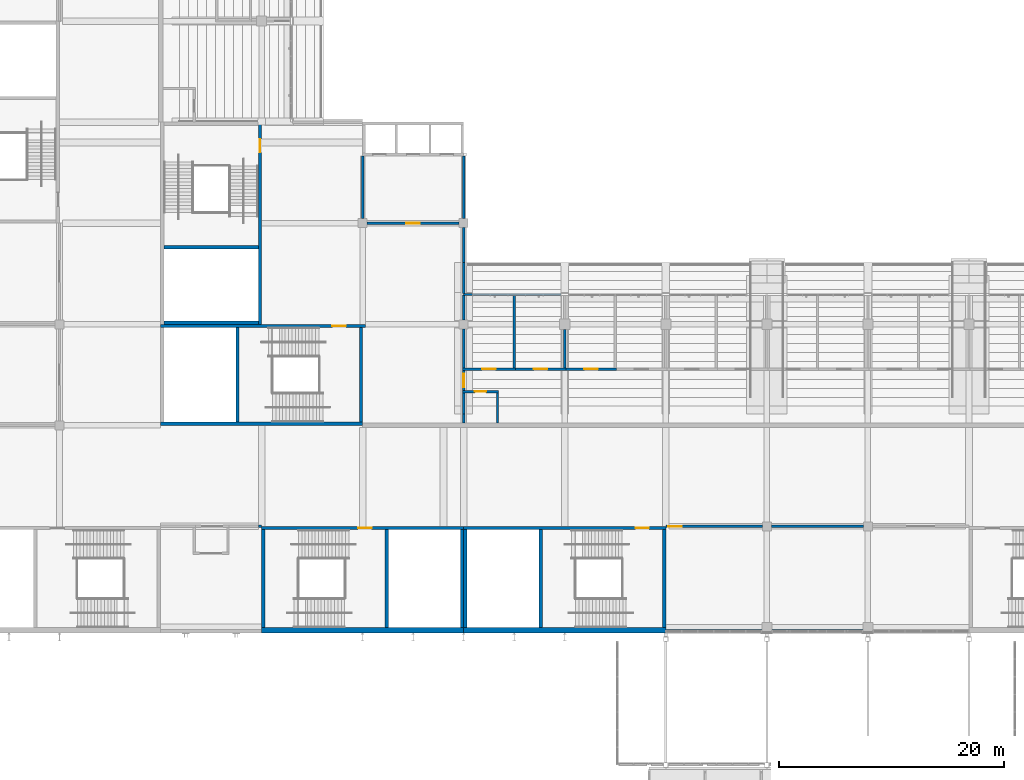
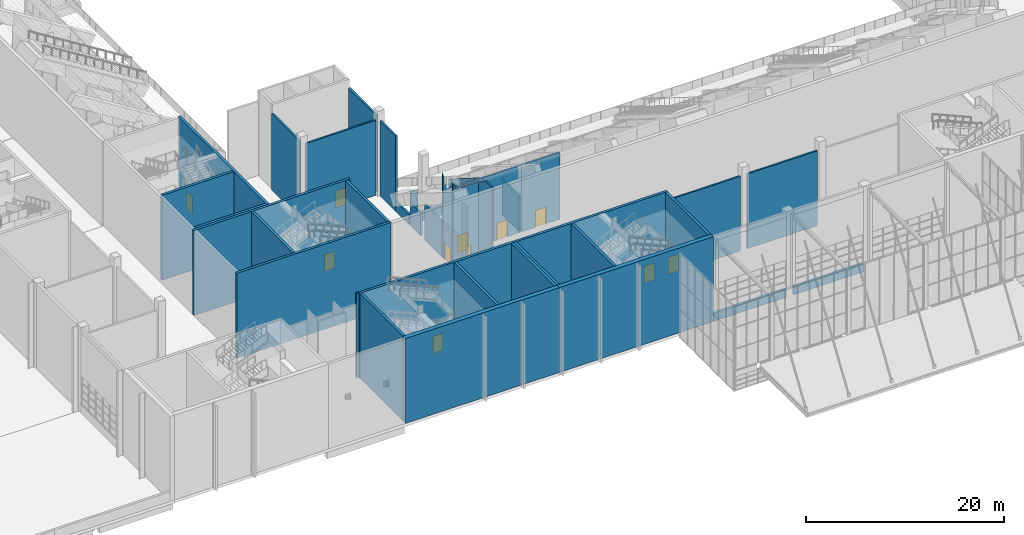
# One storey, part 81 of 182: 41 walls, 11 doors, 11 openings.
"""IFC4 building model written with IfcOpenShell, lengths in metres."""

from ifc_helpers import new_model, si_unit, direction, frame, frame_2d, origin, place, context, subcontext, project, spatial, polyline, rectangle, outline, extrude, material, layer, layer_set, type_object, element, fill, save


model = new_model("IFC4")

# Units and contexts
model_context = context("Model", 3, precision=1e-05, world=origin(), true_north=direction((0.0, 1.0)))
body_context = subcontext(model_context, "Body", "Model", "MODEL_VIEW")
ifc_project = project(units=[si_unit("LENGTHUNIT", "METRE"), si_unit("AREAUNIT", "SQUARE_METRE"), si_unit("VOLUMEUNIT", "CUBIC_METRE"), si_unit("PLANEANGLEUNIT", "RADIAN"), si_unit("MASSUNIT", "GRAM", prefix="KILO")], contexts=[model_context])

# Site, building, storey
site_placement = place(None, origin())
site = spatial("IfcSite", under=ifc_project, at=site_placement, CompositionType="ELEMENT")
building_placement = place(site_placement, origin())
building = spatial("IfcBuilding", under=site, at=building_placement, Name="Silverbay Arena", CompositionType="ELEMENT")
storey_placement = place(building_placement, frame((0.0, 0.0, 11.5)))
storey = spatial("IfcBuildingStorey", under=building, at=storey_placement, Name="L02", CompositionType="ELEMENT", Elevation=11.5)

# Walls
ifc_material_1 = material(Name="Concrete Grade C45", Category="concrete")
ifc_layer_1 = layer(ifc_material_1, 0.25)
ifc_layer_set_1 = layer_set([ifc_layer_1], Name="Concrete Grade C45")
wall_type_1 = type_object("IfcWallType", Name="Bowl enclosure wall RC 250 EI 120", PredefinedType="SOLIDWALL", material=ifc_layer_set_1)
wall_1_placement = place(storey_placement, frame((99.0, 50.5, 0.0), z_axis=(0.0, 0.0, 1.0), x_axis=(0.0, 1.0, 0.0)))
element("IfcWall", 1, at=wall_1_placement, inside=storey, type_object=wall_type_1, Name="Bowl enclosure wall, corner block SW-x", PredefinedType="SOLIDWALL", context=body_context, shape_type="SweptSolid", body=[
    extrude(rectangle(XDim=3.10009765625, YDim=0.25, at=frame_2d((1.550048828125, 0.0))), origin(), (0.0, 0.0, 1.0), 9.25),
])
wall_2_placement = place(storey_placement, frame((99.0, 54.39990234375, 0.0), z_axis=(0.0, 0.0, 1.0), x_axis=(0.0, 1.0, 0.0)))
element("IfcWall", 2, at=wall_2_placement, inside=storey, type_object=wall_type_1, Name="Bowl enclosure wall, corner block SW-x", PredefinedType="SOLIDWALL", context=body_context, shape_type="SweptSolid", body=[
    extrude(rectangle(XDim=5.60009765625, YDim=0.25, at=frame_2d((2.800048828125, 0.0))), origin(), (0.0, 0.0, 1.0), 9.449951171875),
])
wall_3_placement = place(storey_placement, frame((99.0, 47.75, 0.0), z_axis=(0.0, 0.0, 1.0), x_axis=(0.0, 1.0, 0.0)))
element("IfcWall", 3, at=wall_3_placement, inside=storey, type_object=wall_type_1, Name="Bowl enclosure wall, corner block SW-x", PredefinedType="SOLIDWALL", context=body_context, shape_type="SweptSolid", body=[
    extrude(rectangle(XDim=2.75, YDim=0.25, at=frame_2d((1.375, 0.0))), origin(), (0.0, 0.0, 1.0), 1.217041015625),
])
ifc_material_2 = material(Name="Concrete Grade C45 precast, light finish", Category="concrete")
ifc_layer_2 = layer(ifc_material_2, 0.300048828125)
ifc_layer_set_2 = layer_set([ifc_layer_2], Name="Concrete Grade C45 precast, light finish")
wall_type_2 = type_object("IfcWallType", Name="Cladded external wall 300", PredefinedType="SOLIDWALL", material=ifc_layer_set_2)
wall_4_placement = place(storey_placement, frame((117.0, 17.64990234375, 0.0), z_axis=(0.0, 0.0, 1.0), x_axis=(1.0, 0.0, 0.0)))
element("IfcWall", 4, at=wall_4_placement, inside=storey, type_object=wall_type_2, Name="South sill wall L02 bay 8", PredefinedType="SOLIDWALL", context=body_context, shape_type="SweptSolid", body=[
    extrude(rectangle(XDim=8.550048828125, YDim=0.300048828125, at=frame_2d((4.27490234375, 0.0))), origin(), (0.0, 0.0, 1.0), 1.0),
])
wall_5_placement = place(storey_placement, frame((126.449951171875, 17.64990234375, 0.0), z_axis=(0.0, 0.0, 1.0), x_axis=(1.0, 0.0, 0.0)))
element("IfcWall", 5, at=wall_5_placement, inside=storey, type_object=wall_type_2, Name="South sill wall L02 bay 9", PredefinedType="SOLIDWALL", context=body_context, shape_type="SweptSolid", body=[
    extrude(rectangle(XDim=8.10009765625, YDim=0.300048828125, at=frame_2d((4.050048828125, 0.0))), origin(), (0.0, 0.0, 1.0), 1.0),
])

# Wall, opening, door
ifc_material_3 = material(Name="Concrete Grade C45", Category="concrete")
ifc_layer_3 = layer(ifc_material_3, 0.300048828125)
ifc_layer_set_3 = layer_set([ifc_layer_3], Name="Concrete Grade C45")
wall_type_3 = type_object("IfcWallType", Name="Core wall RC 300 EI 120", PredefinedType="SHEAR", material=ifc_layer_set_3)
wall_6_placement = place(storey_placement, frame((81.0, 26.85009765625, 0.0), z_axis=(0.0, 0.0, 1.0), x_axis=(1.0, 0.0, 0.0)))
wall_6 = element("IfcWall", 6, at=wall_6_placement, inside=storey, type_object=wall_type_3, Name="Core wall ST-S1 L02 door side", PredefinedType="SHEAR", context=body_context, shape_type="SweptSolid", body=[
    extrude(rectangle(XDim=18.0, YDim=0.300048828125, at=frame_2d((9.0, 0.0))), origin(), (0.0, 0.0, 1.0), 10.5),
])
opening_1_placement = place(wall_6_placement, frame((8.60009765625, 0.0, 0.0)))
opening_1 = element("IfcOpeningElement", 7, at=opening_1_placement, cuts=wall_6, Name="Opening L02-075", PredefinedType="OPENING", context=body_context, shape_type="SweptSolid", body=[
    extrude(rectangle(XDim=1.199951171875, YDim=2.10009765625, at=frame_2d((0.60009765625, 1.050048828125))), frame((0.0, 0.16015625, 0.0), z_axis=(0.0, -1.0, 0.0), x_axis=(1.0, 0.0, 0.0)), (0.0, 0.0, 1.0), 0.320068359375),
])
ifc_material_4 = material(Name="Steel fire door", Category="steel")
door_type_1 = type_object("IfcDoorType", Name="Stair door 1200 x 2100 fire door", OperationType="SINGLE_SWING_LEFT", PredefinedType="DOOR", material=ifc_material_4)
door_1_placement = place(opening_1_placement, frame((1.199951171875, 0.0, 0.0), z_axis=(0.0, 0.0, 1.0), x_axis=(-1.0, 0.0, 0.0)))
door_1 = element("IfcDoor", 8, at=door_1_placement, inside=storey, type_object=door_type_1, Name="Stair door ST-S1 L02", OperationType="SINGLE_SWING_LEFT", OverallHeight=2.10009765625, OverallWidth=1.199951171875, PredefinedType="DOOR", context=body_context, shape_type="SweptSolid", body=[
    extrude(rectangle(XDim=1.199951171875, YDim=2.10009765625, at=frame_2d((0.60009765625, 1.050048828125))), frame((0.0, 0.02490234375, 0.0), z_axis=(0.0, -1.0, 0.0), x_axis=(1.0, 0.0, 0.0)), (0.0, 0.0, 1.0), 0.050048828125),
])
fill(opening_1, door_1)

# Walls
for number, where, z_axis, x_axis, name in (
    (9, (81.14990234375, 26.699951171875, 0.0), (0.0, 0.0, 1.0), (0.0, -1.0, 0.0), "Core wall ST-S1 L02 end 1"),
    (10, (98.85009765625, 26.699951171875, 0.0), (0.0, 0.0, 1.0), (0.0, -1.0, 0.0), "Core wall ST-S1 L02 end 2"),
    (11, (92.14990234375, 26.699951171875, 0.0), (0.0, 0.0, 1.0), (0.0, -1.0, 0.0), "Core wall ST-S1 L02 stair enclosure"),
):
    element("IfcWall", number, at=place(storey_placement, frame(where, z_axis=z_axis, x_axis=x_axis)), inside=storey, type_object=wall_type_3, Name=name, PredefinedType="SHEAR", context=body_context, shape_type="SweptSolid", body=[
        extrude(rectangle(XDim=8.699951171875, YDim=0.300048828125, at=frame_2d((4.35009765625, 0.0))), origin(), (0.0, 0.0, 1.0), 10.5),
    ])

# Wall, opening, door
wall_7_placement = place(storey_placement, frame((117.0, 26.85009765625, 0.0), z_axis=(0.0, 0.0, 1.0), x_axis=(-1.0, 0.0, 0.0)))
wall_7 = element("IfcWall", 12, at=wall_7_placement, inside=storey, type_object=wall_type_3, Name="Core wall ST-S2 L02 door side", PredefinedType="SHEAR", context=body_context, shape_type="SweptSolid", body=[
    extrude(rectangle(XDim=18.0, YDim=0.300048828125, at=frame_2d((9.0, 0.0))), origin(), (0.0, 0.0, 1.0), 10.5),
])
opening_2_placement = place(wall_7_placement, frame((1.5, 0.0, 0.0)))
opening_2 = element("IfcOpeningElement", 13, at=opening_2_placement, cuts=wall_7, Name="Opening L02-076", PredefinedType="OPENING", context=body_context, shape_type="SweptSolid", body=[
    extrude(rectangle(XDim=1.199951171875, YDim=2.10009765625, at=frame_2d((0.60009765625, 1.050048828125))), frame((0.0, 0.16015625, 0.0), z_axis=(0.0, -1.0, 0.0), x_axis=(1.0, 0.0, 0.0)), (0.0, 0.0, 1.0), 0.320068359375),
])
door_2_placement = place(opening_2_placement, origin())
door_2 = element("IfcDoor", 14, at=door_2_placement, inside=storey, type_object=door_type_1, Name="Stair door ST-S2 L02", OperationType="SINGLE_SWING_LEFT", OverallHeight=2.10009765625, OverallWidth=1.199951171875, PredefinedType="DOOR", context=body_context, shape_type="SweptSolid", body=[
    extrude(rectangle(XDim=1.199951171875, YDim=2.10009765625, at=frame_2d((0.60009765625, 1.050048828125))), frame((0.0, 0.02490234375, 0.0), z_axis=(0.0, -1.0, 0.0), x_axis=(1.0, 0.0, 0.0)), (0.0, 0.0, 1.0), 0.050048828125),
])
fill(opening_2, door_2)

# Walls
for number, where, z_axis, x_axis, name in (
    (15, (116.85009765625, 26.699951171875, 0.0), (0.0, 0.0, 1.0), (0.0, -1.0, 0.0), "Core wall ST-S2 L02 end 1"),
    (16, (99.14990234375, 26.699951171875, 0.0), (0.0, 0.0, 1.0), (0.0, -1.0, 0.0), "Core wall ST-S2 L02 end 2"),
    (17, (105.85009765625, 26.699951171875, 0.0), (0.0, 0.0, 1.0), (0.0, -1.0, 0.0), "Core wall ST-S2 L02 stair enclosure"),
):
    element("IfcWall", number, at=place(storey_placement, frame(where, z_axis=z_axis, x_axis=x_axis)), inside=storey, type_object=wall_type_3, Name=name, PredefinedType="SHEAR", context=body_context, shape_type="SweptSolid", body=[
        extrude(rectangle(XDim=8.699951171875, YDim=0.300048828125, at=frame_2d((4.35009765625, 0.0))), origin(), (0.0, 0.0, 1.0), 10.5),
    ])

# Wall, opening, door
wall_8_placement = place(storey_placement, frame((90.25, 44.85009765625, 0.0), z_axis=(0.0, 0.0, 1.0), x_axis=(-1.0, 0.0, 0.0)))
wall_8 = element("IfcWall", 18, at=wall_8_placement, inside=storey, type_object=wall_type_3, Name="Core wall ST-SW1 L02 door side", PredefinedType="SHEAR", context=body_context, shape_type="SweptSolid", body=[
    extrude(rectangle(XDim=18.25, YDim=0.300048828125, at=frame_2d((9.125, 0.0))), origin(), (0.0, 0.0, 1.0), 10.5),
])
opening_3_placement = place(wall_8_placement, frame((1.75, 0.0, 0.0)))
opening_3 = element("IfcOpeningElement", 19, at=opening_3_placement, cuts=wall_8, Name="Opening L02-091", PredefinedType="OPENING", context=body_context, shape_type="SweptSolid", body=[
    extrude(rectangle(XDim=1.199951171875, YDim=2.10009765625, at=frame_2d((0.60009765625, 1.050048828125))), frame((0.0, 0.16015625, 0.0), z_axis=(0.0, -1.0, 0.0), x_axis=(1.0, 0.0, 0.0)), (0.0, 0.0, 1.0), 0.320068359375),
])
door_3_placement = place(opening_3_placement, origin())
door_3 = element("IfcDoor", 20, at=door_3_placement, inside=storey, type_object=door_type_1, Name="Stair door ST-SW1 L02", OperationType="SINGLE_SWING_LEFT", OverallHeight=2.10009765625, OverallWidth=1.199951171875, PredefinedType="DOOR", context=body_context, shape_type="SweptSolid", body=[
    extrude(rectangle(XDim=1.199951171875, YDim=2.10009765625, at=frame_2d((0.60009765625, 1.050048828125))), frame((0.0, 0.02490234375, 0.0), z_axis=(0.0, -1.0, 0.0), x_axis=(1.0, 0.0, 0.0)), (0.0, 0.0, 1.0), 0.050048828125),
])
fill(opening_3, door_3)

# Walls
wall_9_placement = place(storey_placement, frame((90.0, 36.14990234375, 0.0), z_axis=(0.0, 0.0, 1.0), x_axis=(-1.0, 0.0, 0.0)))
element("IfcWall", 21, at=wall_9_placement, inside=storey, type_object=wall_type_3, Name="Core wall ST-SW1 L02 far side", PredefinedType="SHEAR", context=body_context, shape_type="SweptSolid", body=[
    extrude(rectangle(XDim=18.0, YDim=0.300048828125, at=frame_2d((9.0, 0.0))), origin(), (0.0, 0.0, 1.0), 10.5),
])
for number, where, z_axis, x_axis, name in (
    (22, (89.85009765625, 44.699951171875, 0.0), (0.0, 0.0, 1.0), (0.0, -1.0, 0.0), "Core wall ST-SW1 L02 end 1"),
    (23, (78.85009765625, 44.699951171875, 0.0), (0.0, 0.0, 1.0), (0.0, -1.0, 0.0), "Core wall ST-SW1 L02 stair enclosure"),
):
    element("IfcWall", number, at=place(storey_placement, frame(where, z_axis=z_axis, x_axis=x_axis)), inside=storey, type_object=wall_type_3, Name=name, PredefinedType="SHEAR", context=body_context, shape_type="SweptSolid", body=[
        extrude(rectangle(XDim=8.39990234375, YDim=0.300048828125, at=frame_2d((4.199951171875, 0.0))), origin(), (0.0, 0.0, 1.0), 10.5),
    ])

# Wall, opening, door
wall_10_placement = place(storey_placement, frame((80.85009765625, 63.0, 0.0), z_axis=(0.0, 0.0, 1.0), x_axis=(0.0, -1.0, 0.0)))
wall_10 = element("IfcWall", 24, at=wall_10_placement, inside=storey, type_object=wall_type_3, Name="Core wall ST-SW2 L02 door side", PredefinedType="SHEAR", context=body_context, shape_type="SweptSolid", body=[
    extrude(rectangle(XDim=18.0, YDim=0.300048828125, at=frame_2d((9.0, 0.0))), origin(), (0.0, 0.0, 1.0), 10.5),
])
opening_4_placement = place(wall_10_placement, frame((1.5, 0.0, 0.0)))
opening_4 = element("IfcOpeningElement", 25, at=opening_4_placement, cuts=wall_10, Name="Opening L02-092", PredefinedType="OPENING", context=body_context, shape_type="SweptSolid", body=[
    extrude(rectangle(XDim=1.199951171875, YDim=2.10009765625, at=frame_2d((0.60009765625, 1.050048828125))), frame((0.0, 0.16015625, 0.0), z_axis=(0.0, -1.0, 0.0), x_axis=(1.0, 0.0, 0.0)), (0.0, 0.0, 1.0), 0.320068359375),
])
door_4_placement = place(opening_4_placement, frame((1.199951171875, 0.0, 0.0), z_axis=(0.0, 0.0, 1.0), x_axis=(-1.0, 0.0, 0.0)))
door_4 = element("IfcDoor", 26, at=door_4_placement, inside=storey, type_object=door_type_1, Name="Stair door ST-SW2 L02", OperationType="SINGLE_SWING_RIGHT", OverallHeight=2.10009765625, OverallWidth=1.199951171875, PredefinedType="DOOR", context=body_context, shape_type="SweptSolid", body=[
    extrude(rectangle(XDim=1.199951171875, YDim=2.10009765625, at=frame_2d((0.60009765625, 1.050048828125))), frame((0.0, 0.02490234375, 0.0), z_axis=(0.0, -1.0, 0.0), x_axis=(1.0, 0.0, 0.0)), (0.0, 0.0, 1.0), 0.050048828125),
])
fill(opening_4, door_4)

# Walls
for number, where, z_axis, x_axis, name in (
    (27, (80.699951171875, 45.14990234375, 0.0), (0.0, 0.0, 1.0), (-1.0, 0.0, 0.0), "Core wall ST-SW2 L02 end 2"),
    (28, (80.699951171875, 51.85009765625, 0.0), (0.0, 0.0, 1.0), (-1.0, 0.0, 0.0), "Core wall ST-SW2 L02 stair enclosure"),
):
    element("IfcWall", number, at=place(storey_placement, frame(where, z_axis=z_axis, x_axis=x_axis)), inside=storey, type_object=wall_type_3, Name=name, PredefinedType="SHEAR", context=body_context, shape_type="SweptSolid", body=[
        extrude(rectangle(XDim=8.39990234375, YDim=0.300048828125, at=frame_2d((4.199951171875, 0.0))), origin(), (0.0, 0.0, 1.0), 10.5),
    ])
ifc_material_5 = material(Name="Concrete Grade C45", Category="concrete")
ifc_layer_4 = layer(ifc_material_5, 0.5)
ifc_layer_set_4 = layer_set([ifc_layer_4], Name="Concrete Grade C45")
wall_type_4 = type_object("IfcWallType", Name="Core wall RC 500 external EI 120", PredefinedType="SHEAR", material=ifc_layer_set_4)
for number, where, z_axis, x_axis, name in (
    (29, (81.0, 17.75, 0.0), (0.0, 0.0, 1.0), (1.0, 0.0, 0.0), "Core wall ST-S1 L02 facade side"),
    (30, (117.0, 17.75, 0.0), (0.0, 0.0, 1.0), (-1.0, 0.0, 0.0), "Core wall ST-S2 L02 facade side"),
):
    element("IfcWall", number, at=place(storey_placement, frame(where, z_axis=z_axis, x_axis=x_axis)), inside=storey, type_object=wall_type_4, Name=name, PredefinedType="SHEAR", context=body_context, shape_type="SweptSolid", body=[
        extrude(rectangle(XDim=18.0, YDim=0.5, at=frame_2d((9.0, 0.0))), origin(), (0.0, 0.0, 1.0), 10.5),
    ])
ifc_material_6 = material(Name="Masonry blockwork partition", Category="masonry")
ifc_layer_5 = layer(ifc_material_6, 0.199951171875)
ifc_layer_set_5 = layer_set([ifc_layer_5], Name="Masonry blockwork partition")
wall_type_5 = type_object("IfcWallType", Name="Partition 200 EI 120", PredefinedType="PARTITIONING", material=ifc_layer_set_5)
wall_11_placement = place(storey_placement, frame((126.39990234375, 27.0, 0.0), z_axis=(0.0, 0.0, 1.0), x_axis=(1.0, 0.0, 0.0)))
element("IfcWall", 31, at=wall_11_placement, inside=storey, type_object=wall_type_5, Name="Partition wall", PredefinedType="PARTITIONING", context=body_context, shape_type="SweptSolid", body=[
    extrude(rectangle(XDim=8.2001953125, YDim=0.199951171875, at=frame_2d((4.10009765625, 0.0))), origin(), (0.0, 0.0, 1.0), 9.25),
])

# Wall, opening, door
wall_12_placement = place(storey_placement, frame((117.0, 27.0, 0.0), z_axis=(0.0, 0.0, 1.0), x_axis=(1.0, 0.0, 0.0)))
wall_12 = element("IfcWall", 32, at=wall_12_placement, inside=storey, type_object=wall_type_5, Name="Partition wall", PredefinedType="PARTITIONING", context=body_context, shape_type="SweptSolid", body=[
    extrude(rectangle(XDim=8.60009765625, YDim=0.199951171875, at=frame_2d((4.300048828125, 0.0))), origin(), (0.0, 0.0, 1.0), 9.25),
])
opening_5_placement = place(wall_12_placement, frame((0.199951171875, 0.0, 0.0)))
opening_5 = element("IfcOpeningElement", 33, at=opening_5_placement, cuts=wall_12, Name="Opening L02-067", PredefinedType="OPENING", context=body_context, shape_type="SweptSolid", body=[
    extrude(rectangle(XDim=1.199951171875, YDim=2.10009765625, at=frame_2d((0.60009765625, 1.050048828125))), frame((0.0, 0.10986328125, 0.0), z_axis=(0.0, -1.0, 0.0), x_axis=(1.0, 0.0, 0.0)), (0.0, 0.0, 1.0), 0.219970703125),
])
ifc_material_7 = material(Name="Steel faced timber", Category="steel")
door_type_2 = type_object("IfcDoorType", Name="Double leaf door 1200 x 2100 FD120", OperationType="DOUBLE_DOOR_DOUBLE_SWING", PredefinedType="DOOR", material=ifc_material_7)
door_5_placement = place(opening_5_placement, origin())
door_5 = element("IfcDoor", 34, at=door_5_placement, inside=storey, type_object=door_type_2, Name="Door L02-067", OperationType="DOUBLE_DOOR_DOUBLE_SWING", OverallHeight=2.10009765625, OverallWidth=1.199951171875, PredefinedType="DOOR", context=body_context, shape_type="SweptSolid", body=[
    extrude(rectangle(XDim=1.199951171875, YDim=2.10009765625, at=frame_2d((0.60009765625, 1.050048828125))), frame((0.0, 0.02490234375, 0.0), z_axis=(0.0, -1.0, 0.0), x_axis=(1.0, 0.0, 0.0)), (0.0, 0.0, 1.0), 0.050048828125),
])
fill(opening_5, door_5)

wall_13_placement = place(storey_placement, frame((98.89990234375, 41.0, 0.0), z_axis=(0.0, 0.0, 1.0), x_axis=(1.0, 0.0, 0.0)))
wall_13 = element("IfcWall", 35, at=wall_13_placement, inside=storey, type_object=wall_type_5, Name="Partition wall", PredefinedType="PARTITIONING", context=body_context, shape_type="SweptSolid", body=[
    extrude(outline(polyline([(0.0, 0.0), (4.7001953125, 0.0), (4.699951171875, 8.257568359375), (0.469970703125, 8.257568359375), (0.0, 10.5), (0.0, 0.0)])), frame((0.0, 0.10009765625, 0.0), z_axis=(0.0, -1.0, 0.0), x_axis=(1.0, 0.0, 0.0)), (0.0, 0.0, 1.0), 0.199951171875),
])
opening_6_placement = place(wall_13_placement, frame((1.75, 0.0, 0.0)))
opening_6 = element("IfcOpeningElement", 36, at=opening_6_placement, cuts=wall_13, Name="Opening L02-024", PredefinedType="OPENING", context=body_context, shape_type="SweptSolid", body=[
    extrude(rectangle(XDim=1.199951171875, YDim=2.10009765625, at=frame_2d((0.60009765625, 1.050048828125))), frame((0.0, 0.10986328125, 0.0), z_axis=(0.0, -1.0, 0.0), x_axis=(1.0, 0.0, 0.0)), (0.0, 0.0, 1.0), 0.219970703125),
])
ifc_material_8 = material(Name="Steel faced timber", Category="steel")
door_type_3 = type_object("IfcDoorType", Name="Single leaf door 1200 x 2100 FD120", OperationType="SINGLE_SWING_LEFT", PredefinedType="DOOR", material=ifc_material_8)
door_6_placement = place(opening_6_placement, origin())
door_6 = element("IfcDoor", 37, at=door_6_placement, inside=storey, type_object=door_type_3, Name="Door L02-024", OperationType="SINGLE_SWING_RIGHT", OverallHeight=2.10009765625, OverallWidth=1.199951171875, PredefinedType="DOOR", context=body_context, shape_type="SweptSolid", body=[
    extrude(rectangle(XDim=1.199951171875, YDim=2.10009765625, at=frame_2d((0.60009765625, 1.050048828125))), frame((0.0, 0.02490234375, 0.0), z_axis=(0.0, -1.0, 0.0), x_axis=(1.0, 0.0, 0.0)), (0.0, 0.0, 1.0), 0.050048828125),
])
fill(opening_6, door_6)

wall_14_placement = place(storey_placement, frame((103.60009765625, 41.0, 0.0), z_axis=(0.0, 0.0, 1.0), x_axis=(1.0, 0.0, 0.0)))
wall_14 = element("IfcWall", 38, at=wall_14_placement, inside=storey, type_object=wall_type_5, Name="Partition wall", PredefinedType="PARTITIONING", context=body_context, shape_type="SweptSolid", body=[
    extrude(rectangle(XDim=4.5, YDim=0.199951171875, at=frame_2d((2.25, 0.0))), origin(), (0.0, 0.0, 1.0), 8.257568359375),
])
opening_7_placement = place(wall_14_placement, frame((1.64990234375, 0.0, 0.0)))
opening_7 = element("IfcOpeningElement", 39, at=opening_7_placement, cuts=wall_14, Name="Opening L02-025", PredefinedType="OPENING", context=body_context, shape_type="SweptSolid", body=[
    extrude(rectangle(XDim=1.199951171875, YDim=2.10009765625, at=frame_2d((0.60009765625, 1.050048828125))), frame((0.0, 0.10986328125, 0.0), z_axis=(0.0, -1.0, 0.0), x_axis=(1.0, 0.0, 0.0)), (0.0, 0.0, 1.0), 0.219970703125),
])
door_7_placement = place(opening_7_placement, origin())
door_7 = element("IfcDoor", 40, at=door_7_placement, inside=storey, type_object=door_type_3, Name="Door L02-025", OperationType="SINGLE_SWING_LEFT", OverallHeight=2.10009765625, OverallWidth=1.199951171875, PredefinedType="DOOR", context=body_context, shape_type="SweptSolid", body=[
    extrude(rectangle(XDim=1.199951171875, YDim=2.10009765625, at=frame_2d((0.60009765625, 1.050048828125))), frame((0.0, 0.02490234375, 0.0), z_axis=(0.0, -1.0, 0.0), x_axis=(1.0, 0.0, 0.0)), (0.0, 0.0, 1.0), 0.050048828125),
])
fill(opening_7, door_7)

wall_15_placement = place(storey_placement, frame((108.10009765625, 41.0, 0.0), z_axis=(0.0, 0.0, 1.0), x_axis=(1.0, 0.0, 0.0)))
wall_15 = element("IfcWall", 41, at=wall_15_placement, inside=storey, type_object=wall_type_5, Name="Partition wall", PredefinedType="PARTITIONING", context=body_context, shape_type="SweptSolid", body=[
    extrude(rectangle(XDim=4.5, YDim=0.199951171875, at=frame_2d((2.25, 0.0))), origin(), (0.0, 0.0, 1.0), 8.257568359375),
])
opening_8_placement = place(wall_15_placement, frame((1.64990234375, 0.0, 0.0)))
opening_8 = element("IfcOpeningElement", 42, at=opening_8_placement, cuts=wall_15, Name="Opening L02-026", PredefinedType="OPENING", context=body_context, shape_type="SweptSolid", body=[
    extrude(rectangle(XDim=1.199951171875, YDim=2.10009765625, at=frame_2d((0.60009765625, 1.050048828125))), frame((0.0, 0.10986328125, 0.0), z_axis=(0.0, -1.0, 0.0), x_axis=(1.0, 0.0, 0.0)), (0.0, 0.0, 1.0), 0.219970703125),
])
door_8_placement = place(opening_8_placement, origin())
door_8 = element("IfcDoor", 43, at=door_8_placement, inside=storey, type_object=door_type_3, Name="Door L02-026", OperationType="SINGLE_SWING_RIGHT", OverallHeight=2.10009765625, OverallWidth=1.199951171875, PredefinedType="DOOR", context=body_context, shape_type="SweptSolid", body=[
    extrude(rectangle(XDim=1.199951171875, YDim=2.10009765625, at=frame_2d((0.60009765625, 1.050048828125))), frame((0.0, 0.02490234375, 0.0), z_axis=(0.0, -1.0, 0.0), x_axis=(1.0, 0.0, 0.0)), (0.0, 0.0, 1.0), 0.050048828125),
])
fill(opening_8, door_8)

wall_16_placement = place(storey_placement, frame((90.39990234375, 54.0, 0.0), z_axis=(0.0, 0.0, 1.0), x_axis=(1.0, 0.0, 0.0)))
wall_16 = element("IfcWall", 44, at=wall_16_placement, inside=storey, type_object=wall_type_5, Name="Partition wall", PredefinedType="PARTITIONING", context=body_context, shape_type="SweptSolid", body=[
    extrude(rectangle(XDim=8.2001953125, YDim=0.199951171875, at=frame_2d((4.10009765625, 0.0))), origin(), (0.0, 0.0, 1.0), 9.25),
])
opening_9_placement = place(wall_16_placement, frame((3.5, 0.0, 0.0)))
opening_9 = element("IfcOpeningElement", 45, at=opening_9_placement, cuts=wall_16, Name="Opening L02-019", PredefinedType="OPENING", context=body_context, shape_type="SweptSolid", body=[
    extrude(rectangle(XDim=1.199951171875, YDim=2.10009765625, at=frame_2d((0.60009765625, 1.050048828125))), frame((0.0, 0.10986328125, 0.0), z_axis=(0.0, -1.0, 0.0), x_axis=(1.0, 0.0, 0.0)), (0.0, 0.0, 1.0), 0.219970703125),
])
ifc_material_9 = material(Name="Steel faced timber", Category="steel")
door_type_4 = type_object("IfcDoorType", Name="Single leaf door 1200 x 2100 FD60", OperationType="SINGLE_SWING_LEFT", PredefinedType="DOOR", material=ifc_material_9)
door_9_placement = place(opening_9_placement, frame((1.199951171875, 0.0, 0.0), z_axis=(0.0, 0.0, 1.0), x_axis=(-1.0, 0.0, 0.0)))
door_9 = element("IfcDoor", 46, at=door_9_placement, inside=storey, type_object=door_type_4, Name="Door L02-019", OperationType="SINGLE_SWING_RIGHT", OverallHeight=2.10009765625, OverallWidth=1.199951171875, PredefinedType="DOOR", context=body_context, shape_type="SweptSolid", body=[
    extrude(rectangle(XDim=1.199951171875, YDim=2.10009765625, at=frame_2d((0.60009765625, 1.050048828125))), frame((0.0, 0.02490234375, 0.0), z_axis=(0.0, -1.0, 0.0), x_axis=(1.0, 0.0, 0.0)), (0.0, 0.0, 1.0), 0.050048828125),
])
fill(opening_9, door_9)

# Wall
wall_17_placement = place(storey_placement, frame((90.0, 54.39990234375, 0.0), z_axis=(0.0, 0.0, 1.0), x_axis=(0.0, 1.0, 0.0)))
element("IfcWall", 47, at=wall_17_placement, inside=storey, type_object=wall_type_5, Name="Partition wall", PredefinedType="PARTITIONING", context=body_context, shape_type="SweptSolid", body=[
    extrude(rectangle(XDim=5.60009765625, YDim=0.199951171875, at=frame_2d((2.800048828125, 0.0))), origin(), (0.0, 0.0, 1.0), 9.449951171875),
])

# Wall, opening, door
wall_18_placement = place(storey_placement, frame((99.0, 39.10009765625, 0.0), z_axis=(0.0, 0.0, 1.0), x_axis=(0.0, 1.0, 0.0)))
wall_18 = element("IfcWall", 48, at=wall_18_placement, inside=storey, type_object=wall_type_5, Name="Partition wall", PredefinedType="PARTITIONING", context=body_context, shape_type="SweptSolid", body=[
    extrude(rectangle(XDim=1.7998046875, YDim=0.199951171875, at=frame_2d((0.89990234375, 0.0))), origin(), (0.0, 0.0, 1.0), 4.43896484375),
])
opening_10_placement = place(wall_18_placement, frame((0.300048828125, 0.0, 0.0)))
opening_10 = element("IfcOpeningElement", 49, at=opening_10_placement, cuts=wall_18, Name="Opening L02-063", PredefinedType="OPENING", context=body_context, shape_type="SweptSolid", body=[
    extrude(rectangle(XDim=1.199951171875, YDim=2.10009765625, at=frame_2d((0.60009765625, 1.050048828125))), frame((0.0, 0.10986328125, 0.0), z_axis=(0.0, -1.0, 0.0), x_axis=(1.0, 0.0, 0.0)), (0.0, 0.0, 1.0), 0.219970703125),
])
door_10_placement = place(opening_10_placement, origin())
door_10 = element("IfcDoor", 50, at=door_10_placement, inside=storey, type_object=door_type_3, Name="Door L02-063", OperationType="SINGLE_SWING_LEFT", OverallHeight=2.10009765625, OverallWidth=1.199951171875, PredefinedType="DOOR", context=body_context, shape_type="SweptSolid", body=[
    extrude(rectangle(XDim=1.199951171875, YDim=2.10009765625, at=frame_2d((0.60009765625, 1.050048828125))), frame((0.0, 0.02490234375, 0.0), z_axis=(0.0, -1.0, 0.0), x_axis=(1.0, 0.0, 0.0)), (0.0, 0.0, 1.0), 0.050048828125),
])
fill(opening_10, door_10)

# Walls
wall_19_placement = place(storey_placement, frame((99.0, 41.10009765625, 0.0), z_axis=(0.0, 0.0, 1.0), x_axis=(0.0, 1.0, 0.0)))
element("IfcWall", 51, at=wall_19_placement, inside=storey, type_object=wall_type_5, Name="Partition wall", PredefinedType="PARTITIONING", context=body_context, shape_type="SweptSolid", body=[
    extrude(rectangle(XDim=3.5, YDim=0.199951171875, at=frame_2d((1.75, 0.0))), origin(), (0.0, 0.0, 1.0), 4.43896484375),
])
wall_20_placement = place(storey_placement, frame((99.0, 45.39990234375, 0.0), z_axis=(0.0, 0.0, 1.0), x_axis=(0.0, 1.0, 0.0)))
element("IfcWall", 52, at=wall_20_placement, inside=storey, type_object=wall_type_5, Name="Partition wall", PredefinedType="PARTITIONING", context=body_context, shape_type="SweptSolid", body=[
    extrude(rectangle(XDim=2.2001953125, YDim=0.199951171875, at=frame_2d((1.10009765625, 0.0))), origin(), (0.0, 0.0, 1.0), 2.876953125),
])
wall_21_placement = place(storey_placement, frame((80.699951171875, 27.0, 0.0), z_axis=(0.0, 0.0, 1.0), x_axis=(1.0, 0.0, 0.0)))
element("IfcWall", 53, at=wall_21_placement, inside=storey, type_object=wall_type_5, Name="Partition wall", PredefinedType="PARTITIONING", context=body_context, shape_type="SweptSolid", body=[
    extrude(rectangle(XDim=0.300048828125, YDim=0.199951171875, at=frame_2d((0.14990234375, 0.0))), origin(), (0.0, 0.0, 1.0), 10.5),
])

# Wall, opening, door
ifc_material_10 = material(Name="Gypsum board partition on steel studs", Category="steel")
ifc_layer_6 = layer(ifc_material_10, 0.199951171875)
ifc_layer_set_6 = layer_set([ifc_layer_6], Name="Gypsum board partition on steel studs")
wall_type_6 = type_object("IfcWallType", Name="Partition 200 EI 60", PredefinedType="PARTITIONING", material=ifc_layer_set_6)
wall_22_placement = place(storey_placement, frame((98.89990234375, 39.0, 0.0), z_axis=(0.0, 0.0, 1.0), x_axis=(1.0, 0.0, 0.0)))
wall_22 = element("IfcWall", 54, at=wall_22_placement, inside=storey, type_object=wall_type_6, Name="Partition wall", PredefinedType="PARTITIONING", context=body_context, shape_type="SweptSolid", body=[
    extrude(outline(polyline([(0.0, 0.0), (3.2001953125, 0.0), (3.199951171875, 9.507568359375), (0.45703125, 9.507568359375), (0.0, 10.5), (0.0, 0.0)])), frame((0.0, 0.10009765625, 0.0), z_axis=(0.0, -1.0, 0.0), x_axis=(1.0, 0.0, 0.0)), (0.0, 0.0, 1.0), 0.199951171875),
])
opening_11_placement = place(wall_22_placement, frame((1.10009765625, 0.0, 0.0)))
opening_11 = element("IfcOpeningElement", 55, at=opening_11_placement, cuts=wall_22, Name="Opening L02-023", PredefinedType="OPENING", context=body_context, shape_type="SweptSolid", body=[
    extrude(rectangle(XDim=1.0, YDim=2.10009765625, at=frame_2d((0.5, 1.050048828125))), frame((0.0, 0.10986328125, 0.0), z_axis=(0.0, -1.0, 0.0), x_axis=(1.0, 0.0, 0.0)), (0.0, 0.0, 1.0), 0.219970703125),
])
ifc_material_11 = material(Name="Steel faced timber", Category="steel")
door_type_5 = type_object("IfcDoorType", Name="Single leaf door 1000 x 2100 FD30S", OperationType="SINGLE_SWING_LEFT", PredefinedType="DOOR", material=ifc_material_11)
door_11_placement = place(opening_11_placement, frame((1.0, 0.0, 0.0), z_axis=(0.0, 0.0, 1.0), x_axis=(-1.0, 0.0, 0.0)))
door_11 = element("IfcDoor", 56, at=door_11_placement, inside=storey, type_object=door_type_5, Name="Door L02-023", OperationType="SINGLE_SWING_RIGHT", OverallHeight=2.10009765625, OverallWidth=1.0, PredefinedType="DOOR", context=body_context, shape_type="SweptSolid", body=[
    extrude(rectangle(XDim=1.0, YDim=2.10009765625, at=frame_2d((0.5, 1.050048828125))), frame((0.0, 0.02490234375, 0.0), z_axis=(0.0, -1.0, 0.0), x_axis=(1.0, 0.0, 0.0)), (0.0, 0.0, 1.0), 0.050048828125),
])
fill(opening_11, door_11)

# Walls
wall_23_placement = place(storey_placement, frame((99.0, 37.010986328125, 0.0), z_axis=(0.0, 0.0, 1.0), x_axis=(0.0, 1.0, 0.0)))
element("IfcWall", 57, at=wall_23_placement, inside=storey, type_object=wall_type_6, Name="Partition wall", PredefinedType="PARTITIONING", context=body_context, shape_type="SweptSolid", body=[
    extrude(rectangle(XDim=1.888916015625, YDim=0.199951171875, at=frame_2d((0.9443359375, 0.0))), origin(), (0.0, 0.0, 1.0), 4.43896484375),
])
wall_24_placement = place(storey_placement, frame((102.0, 36.199951171875, 0.0), z_axis=(0.0, 0.0, 1.0), x_axis=(0.0, 1.0, 0.0)))
element("IfcWall", 58, at=wall_24_placement, inside=storey, type_object=wall_type_6, Name="Partition wall", PredefinedType="PARTITIONING", context=body_context, shape_type="SweptSolid", body=[
    extrude(outline(polyline([(0.0, 0.0), (2.699951171875, 0.0), (2.699951171875, 9.570068359375), (1.800048828125, 10.132568359375), (1.35009765625, 10.5), (0.0, 10.5), (0.0, 0.0)])), frame((0.0, 0.10009765625, 0.0), z_axis=(0.0, -1.0, 0.0), x_axis=(1.0, 0.0, 0.0)), (0.0, 0.0, 1.0), 0.199951171875),
])
wall_25_placement = place(storey_placement, frame((103.5, 41.10009765625, 0.0), z_axis=(0.0, 0.0, 1.0), x_axis=(0.0, 1.0, 0.0)))
element("IfcWall", 59, at=wall_25_placement, inside=storey, type_object=wall_type_6, Name="Partition wall", PredefinedType="PARTITIONING", context=body_context, shape_type="SweptSolid", body=[
    extrude(outline(polyline([(0.0, 0.0), (6.5, 0.0), (6.5, 4.132568359375), (0.0, 8.195068359375), (0.0, 0.0)])), frame((0.0, 0.10009765625, 0.0), z_axis=(0.0, -1.0, 0.0), x_axis=(1.0, 0.0, 0.0)), (0.0, 0.0, 1.0), 0.199951171875),
])
wall_26_placement = place(storey_placement, frame((108.0, 41.10009765625, 0.0), z_axis=(0.0, 0.0, 1.0), x_axis=(0.0, 1.0, 0.0)))
element("IfcWall", 60, at=wall_26_placement, inside=storey, type_object=wall_type_6, Name="Partition wall", PredefinedType="PARTITIONING", context=body_context, shape_type="SweptSolid", body=[
    extrude(rectangle(XDim=3.449951171875, YDim=0.199951171875, at=frame_2d((1.72509765625, 0.0))), origin(), (0.0, 0.0, 1.0), 4.43896484375),
])
wall_27_placement = place(storey_placement, frame((99.0, 36.199951171875, 0.0), z_axis=(0.0, 0.0, 1.0), x_axis=(0.0, 1.0, 0.0)))
element("IfcWall", 61, at=wall_27_placement, inside=storey, type_object=wall_type_6, Name="Partition wall", PredefinedType="PARTITIONING", context=body_context, shape_type="SweptSolid", body=[
    extrude(rectangle(XDim=0.81103515625, YDim=0.199951171875, at=frame_2d((0.405517578125, 0.0))), origin(), (0.0, 0.0, 1.0), 9.14990234375),
])
ifc_material_12 = material(Name="Concrete Grade C45", Category="concrete")
ifc_layer_7 = layer(ifc_material_12, 0.199951171875)
ifc_layer_set_7 = layer_set([ifc_layer_7], Name="Concrete Grade C45")
wall_type_7 = type_object("IfcWallType", Name="Suite front pier wall 200 EI 120", PredefinedType="SOLIDWALL", material=ifc_layer_set_7)
wall_28_placement = place(storey_placement, frame((99.0, 47.64990234375, 0.0), z_axis=(0.0, 0.0, 1.0), x_axis=(1.0, 0.0, 0.0)))
element("IfcWall", 62, at=wall_28_placement, inside=storey, type_object=wall_type_7, Name="South suite front pier 1", PredefinedType="SOLIDWALL", context=body_context, shape_type="SweptSolid", body=[
    extrude(rectangle(XDim=0.800048828125, YDim=0.199951171875, at=frame_2d((0.39990234375, 0.0))), origin(), (0.0, 0.0, 1.0), 4.033935546875),
])
ifc_material_13 = material(Name="Concrete Grade C45", Category="concrete")
ifc_layer_8 = layer(ifc_material_13, 0.199951171875)
ifc_layer_set_8 = layer_set([ifc_layer_8], Name="Concrete Grade C45")
wall_type_8 = type_object("IfcWallType", Name="Suite front spandrel wall 200 EI 120", PredefinedType="SOLIDWALL", material=ifc_layer_set_8)
wall_29_placement = place(storey_placement, frame((99.800048828125, 47.64990234375, 0.0), z_axis=(0.0, 0.0, 1.0), x_axis=(1.0, 0.0, 0.0)))
element("IfcWall", 63, at=wall_29_placement, inside=storey, type_object=wall_type_8, Name="South suite front spandrel 1", PredefinedType="SOLIDWALL", context=body_context, shape_type="SweptSolid", body=[
    extrude(rectangle(XDim=7.849853515625, YDim=0.199951171875, at=frame_2d((3.9248046875, 0.0))), origin(), (0.0, 0.0, 1.0), 1.10009765625),
])

save(model, "model.ifc")
